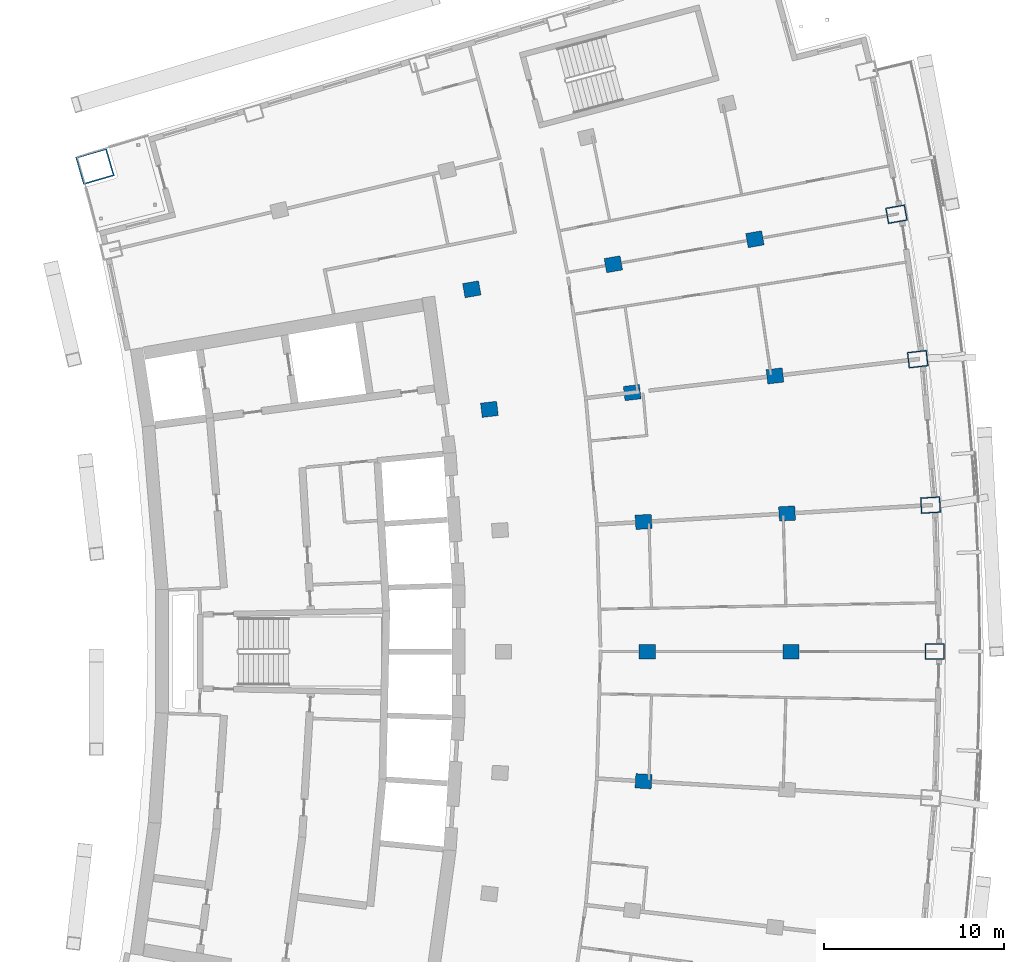
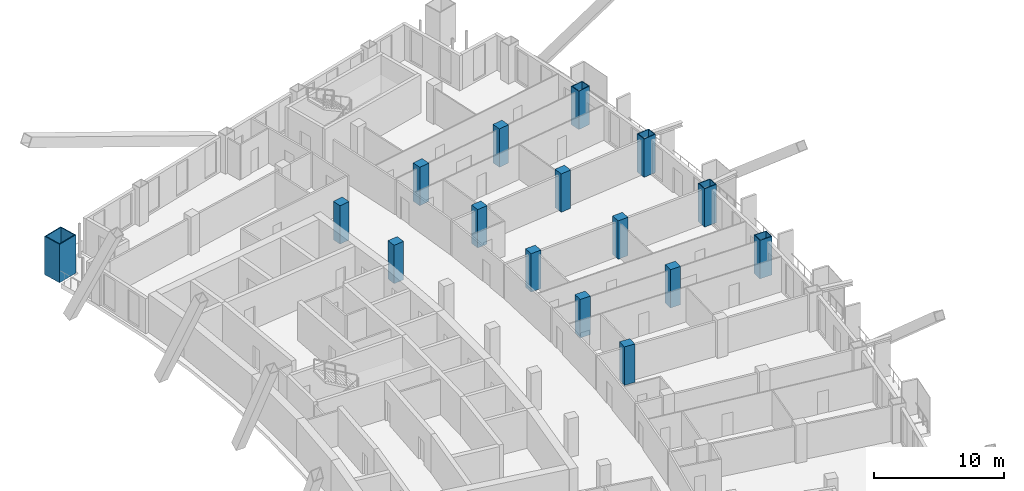
# One storey, part 6 of 20: 16 columns.
"""IFC4 building model written with IfcOpenShell, lengths in metres."""

from ifc_helpers import new_model, si_unit, direction, frame, origin, origin_2d, place, context, subcontext, project, spatial, rectangle, hollow_rectangle, extrude, material, material_profile, profile_set, type_object, element, save


model = new_model("IFC4")

# Units and contexts
model_context = context("Model", 3, precision=1e-05, world=origin(), true_north=direction((0.0, 1.0)))
body_context = subcontext(model_context, "Body", "Model", "MODEL_VIEW")
ifc_project = project(units=[si_unit("LENGTHUNIT", "METRE"), si_unit("AREAUNIT", "SQUARE_METRE"), si_unit("VOLUMEUNIT", "CUBIC_METRE"), si_unit("PLANEANGLEUNIT", "RADIAN"), si_unit("MASSUNIT", "GRAM", prefix="KILO")], contexts=[model_context])

# Site, building, storey
site_placement = place(None, origin())
site = spatial("IfcSite", under=ifc_project, at=site_placement, CompositionType="ELEMENT")
building_placement = place(site_placement, origin())
building = spatial("IfcBuilding", under=site, at=building_placement, Name="Alderwake Tower", CompositionType="ELEMENT")
storey_placement = place(building_placement, frame((0.0, 0.0, 149.60009765625)))
storey = spatial("IfcBuildingStorey", under=building, at=storey_placement, Name="L36", CompositionType="ELEMENT", Elevation=149.60009765625)

# Columns
ifc_material_1 = material(Name="Concrete C70/85", Category="concrete")
ifc_material_profile_1 = material_profile(ifc_material_1, rectangle(XDim=0.800048828125, YDim=0.89990234375, at=origin_2d()), Name="RC 900X800")
ifc_profile_set_1 = profile_set([ifc_material_profile_1], Name="Concrete C70/85")
column_type_1 = type_object("IfcColumnType", Name="Interior column Z3", PredefinedType="COLUMN", material=ifc_profile_set_1)
for number, where, z_axis, x_axis, name in (
    (1, (43.58935546875, 53.782470703125, 0.0), (0.0, 0.0, 1.0), (0.058301061284, 0.998299046505, 0.0), "Column R06-C3"),
    (2, (43.800048828125, 61.0, 0.0), (0.0, 0.0, 1.0), (0.0, 1.0, 0.0), "Column R07-C3"),
    (3, (51.800048828125, 61.0, 0.0), (0.0, 0.0, 1.0), (0.0, 1.0, 0.0), "Column R07-C4"),
    (4, (43.58935546875, 68.217529296875, 0.0), (0.0, 0.0, 1.0), (-0.058301061284, 0.998299046505, 0.0), "Column R08-C3"),
    (5, (51.57568359375, 68.68408203125, 0.0), (0.0, 0.0, 1.0), (-0.058301061284, 0.998299046505, 0.0), "Column R08-C4"),
    (6, (35.0126953125, 74.4794921875, 0.0), (0.0, 0.0, 1.0), (-0.116402054316, 0.993202175668, 0.0), "Column R09-C2"),
    (7, (42.95849609375, 75.41064453125, 0.0), (0.0, 0.0, 1.0), (-0.116402054316, 0.993202175668, 0.0), "Column R09-C3"),
    (8, (50.904052734375, 76.341796875, 0.0), (0.0, 0.0, 1.0), (-0.116402054316, 0.993202175668, 0.0), "Column R09-C4"),
    (9, (34.03125, 81.16162109375, 0.0), (0.0, 0.0, 1.0), (-0.174108800747, 0.984726421654, 0.0), "Column R10-C2"),
    (10, (41.9091796875, 82.5546875, 0.0), (0.0, 0.0, 1.0), (-0.174108800747, 0.984726421654, 0.0), "Column R10-C3"),
    (11, (49.787109375, 83.947509765625, 0.0), (0.0, 0.0, 1.0), (-0.174108800747, 0.984726421654, 0.0), "Column R10-C4"),
):
    element("IfcColumn", number, at=place(storey_placement, frame(where, z_axis=z_axis, x_axis=x_axis)), inside=storey, type_object=column_type_1, Name=name, PredefinedType="COLUMN", context=body_context, shape_type="SweptSolid", body=[
        extrude(rectangle(XDim=0.800048828125, YDim=0.89990234375, at=origin_2d()), origin(), (0.0, 0.0, 1.0), 3.599853515625),
    ])
ifc_material_2 = material(Name="Steel ASTM A572 Grade 50 concrete filled C70/85", Category="concrete")
ifc_material_profile_2 = material_profile(ifc_material_2, hollow_rectangle(XDim=1.60009765625, YDim=1.800048828125, WallThickness=0.080078125, at=origin_2d()), Name="BOX 1800X1600X80")
ifc_profile_set_2 = profile_set([ifc_material_profile_2], Name="Steel ASTM A572 Grade 50 concrete filled C70/85")
column_type_2 = type_object("IfcColumnType", Name="Mega column Z3", PredefinedType="COLUMN", material=ifc_profile_set_2)
column_placement = place(storey_placement, frame((13.06298828125, 87.99755859375, 0.0), z_axis=(0.0, 0.0, 1.0), x_axis=(-0.278612301868, 0.960403657452, 0.0)))
element("IfcColumn", 12, at=column_placement, inside=storey, type_object=column_type_2, Name="Column R12-C0", PredefinedType="COLUMN", context=body_context, shape_type="SweptSolid", body=[
    extrude(hollow_rectangle(XDim=1.60009765625, YDim=1.800048828125, WallThickness=0.080078125, at=origin_2d()), origin(), (0.0, 0.0, 1.0), 3.599853515625),
])
ifc_material_3 = material(Name="Steel ASTM A572 Grade 50 concrete filled C70/85", Category="concrete")
ifc_material_profile_3 = material_profile(ifc_material_3, hollow_rectangle(XDim=0.89990234375, YDim=1.10009765625, WallThickness=0.06005859375, at=origin_2d()), Name="BOX 1100X900X60")
ifc_profile_set_3 = profile_set([ifc_material_profile_3], Name="Steel ASTM A572 Grade 50 concrete filled C70/85")
column_type_3 = type_object("IfcColumnType", Name="Perimeter column Z3", PredefinedType="COLUMN", material=ifc_profile_set_3)
for number, where, z_axis, x_axis, name in (
    (13, (59.800048828125, 61.0, 0.0), (0.0, 0.0, 1.0), (0.0, 1.0, 0.0), "Column R07-C5"),
    (14, (59.562255859375, 69.150390625, 0.0), (0.0, 0.0, 1.0), (-0.058301061284, 0.998299046505, 0.0), "Column R08-C5"),
    (15, (58.849609375, 77.27294921875, 0.0), (0.0, 0.0, 1.0), (-0.116402054316, 0.993202175668, 0.0), "Column R09-C5"),
    (16, (57.664794921875, 85.34033203125, 0.0), (0.0, 0.0, 1.0), (-0.174108800747, 0.984726421654, 0.0), "Column R10-C5"),
):
    element("IfcColumn", number, at=place(storey_placement, frame(where, z_axis=z_axis, x_axis=x_axis)), inside=storey, type_object=column_type_3, Name=name, PredefinedType="COLUMN", context=body_context, shape_type="SweptSolid", body=[
        extrude(hollow_rectangle(XDim=0.89990234375, YDim=1.10009765625, WallThickness=0.06005859375, at=origin_2d()), origin(), (0.0, 0.0, 1.0), 3.599853515625),
    ])

save(model, "model.ifc")
